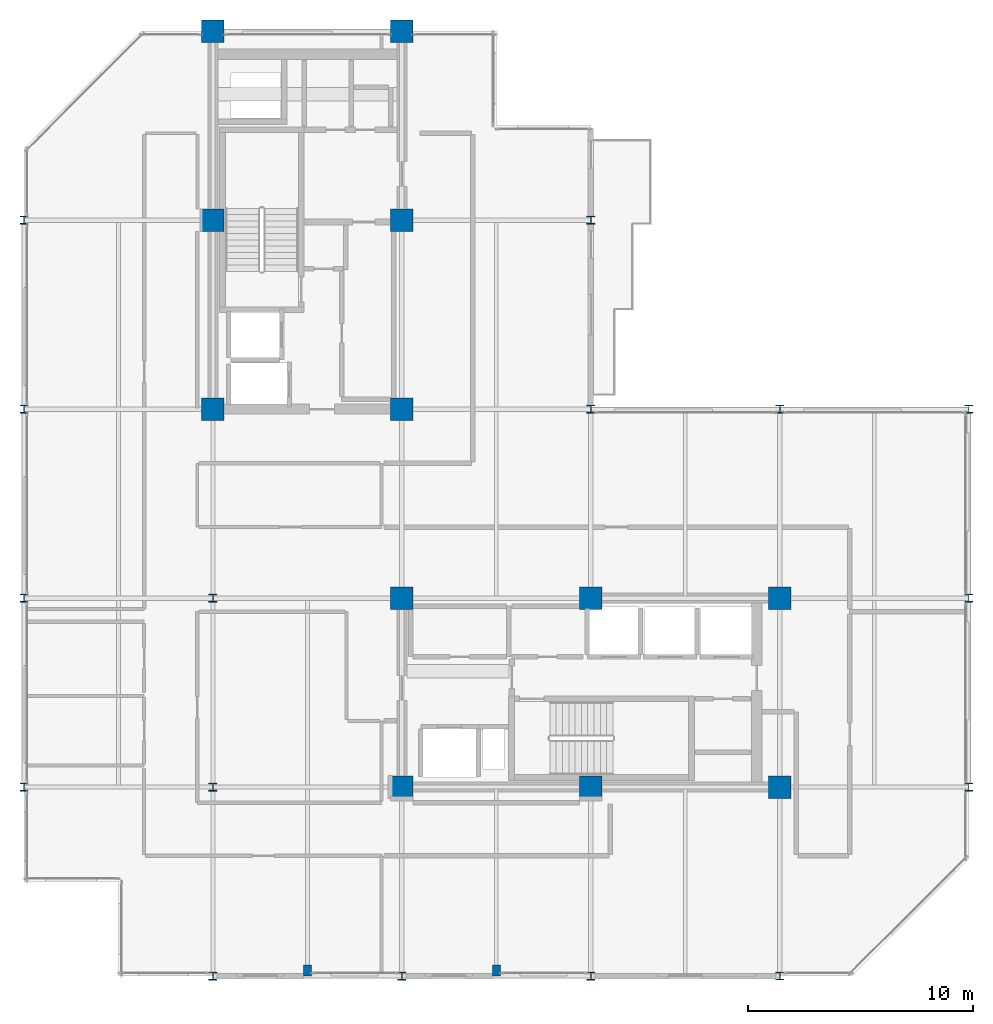
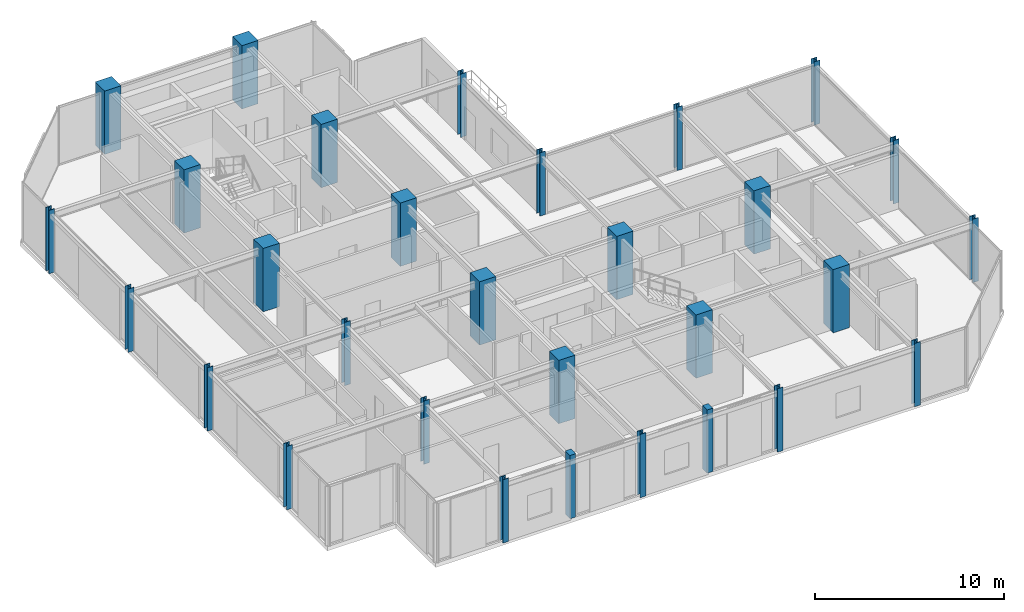
# One storey, part 1 of 25: 30 columns.
"""IFC4 building model written with IfcOpenShell, lengths in metres."""

from ifc_helpers import new_model, si_unit, direction, frame, origin, origin_2d, place, context, subcontext, project, spatial, rectangle, i_section, extrude, material, material_profile, profile_set, type_object, element, save


model = new_model("IFC4")

# Units and contexts
model_context = context("Model", 3, precision=1e-05, world=origin(), true_north=direction((0.0, 1.0)))
body_context = subcontext(model_context, "Body", "Model", "MODEL_VIEW")
ifc_project = project(units=[si_unit("LENGTHUNIT", "METRE"), si_unit("AREAUNIT", "SQUARE_METRE"), si_unit("VOLUMEUNIT", "CUBIC_METRE"), si_unit("PLANEANGLEUNIT", "RADIAN"), si_unit("MASSUNIT", "GRAM", prefix="KILO")], contexts=[model_context])

# Site, building, storey
site_placement = place(None, origin())
site = spatial("IfcSite", under=ifc_project, at=site_placement, CompositionType="ELEMENT")
building_placement = place(site_placement, origin())
building = spatial("IfcBuilding", under=site, at=building_placement, Name="Nerrivon Quay Data Exchange", CompositionType="ELEMENT")
storey_placement = place(building_placement, frame((0.0, 0.0, 232.89990234375)))
storey = spatial("IfcBuildingStorey", under=building, at=storey_placement, Name="L55", CompositionType="ELEMENT", Elevation=232.89990234375)

# Columns
ifc_material_1 = material(Name="Concrete S65 (65 MPa)", Category="concrete")
ifc_material_profile_1 = material_profile(ifc_material_1, rectangle(XDim=1.0, YDim=1.0, at=origin_2d()), Name="RC-COL-1000x1000")
ifc_profile_set_1 = profile_set([ifc_material_profile_1], Name="Concrete S65 (65 MPa)")
column_type_1 = type_object("IfcColumnType", Name="COL-C4-1000", PredefinedType="COLUMN", material=ifc_profile_set_1)
for number, where, z_axis, x_axis, name in (
    (1, (8.39990234375, 25.199951171875, 0.0), (0.0, 0.0, 1.0), (1.0, 0.0, 0.0), "L55 Column (8.4,25.2)"),
    (2, (8.39990234375, 33.60009765625, 0.0), (0.0, 0.0, 1.0), (1.0, 0.0, 0.0), "L55 Column (8.4,33.6)"),
    (3, (8.39990234375, 42.0, 0.0), (0.0, 0.0, 1.0), (1.0, 0.0, 0.0), "L55 Column (8.4,42.0)"),
    (4, (16.800048828125, 8.39990234375, 0.0), (0.0, 0.0, 1.0), (1.0, 0.0, 0.0), "L55 Column (16.8,8.4)"),
    (5, (16.800048828125, 16.800048828125, 0.0), (0.0, 0.0, 1.0), (1.0, 0.0, 0.0), "L55 Column (16.8,16.8)"),
    (6, (16.800048828125, 25.199951171875, 0.0), (0.0, 0.0, 1.0), (1.0, 0.0, 0.0), "L55 Column (16.8,25.2)"),
    (7, (16.800048828125, 33.60009765625, 0.0), (0.0, 0.0, 1.0), (1.0, 0.0, 0.0), "L55 Column (16.8,33.6)"),
    (8, (16.800048828125, 42.0, 0.0), (0.0, 0.0, 1.0), (1.0, 0.0, 0.0), "L55 Column (16.8,42.0)"),
    (9, (25.199951171875, 8.39990234375, 0.0), (0.0, 0.0, 1.0), (1.0, 0.0, 0.0), "L55 Column (25.2,8.4)"),
    (10, (25.199951171875, 16.800048828125, 0.0), (0.0, 0.0, 1.0), (1.0, 0.0, 0.0), "L55 Column (25.2,16.8)"),
    (11, (33.60009765625, 8.39990234375, 0.0), (0.0, 0.0, 1.0), (1.0, 0.0, 0.0), "L55 Column (33.6,8.4)"),
    (12, (33.60009765625, 16.800048828125, 0.0), (0.0, 0.0, 1.0), (1.0, 0.0, 0.0), "L55 Column (33.6,16.8)"),
):
    element("IfcColumn", number, at=place(storey_placement, frame(where, z_axis=z_axis, x_axis=x_axis)), inside=storey, type_object=column_type_1, Name=name, PredefinedType="COLUMN", context=body_context, shape_type="SweptSolid", body=[
        extrude(rectangle(XDim=1.0, YDim=1.0, at=origin_2d()), origin(), (0.0, 0.0, 1.0), 4.10009765625),
    ])
ifc_material_2 = material(Name="Steel Grade 350", Category="steel")
ifc_material_profile_2 = material_profile(ifc_material_2, i_section(OverallWidth=0.35009765625, OverallDepth=0.35009765625, WebThickness=0.02001953125, FlangeThickness=0.031982421875, at=origin_2d()), Name="350WC230")
ifc_profile_set_2 = profile_set([ifc_material_profile_2], Name="Steel Grade 350")
column_type_2 = type_object("IfcColumnType", Name="COL-SC3-350WC", PredefinedType="COLUMN", material=ifc_profile_set_2)
for number, where, z_axis, x_axis, name in (
    (13, (0.0, 8.39990234375, 0.0), (0.0, 0.0, 1.0), (1.0, 0.0, 0.0), "L55 Column (0.0,8.4)"),
    (14, (0.0, 16.800048828125, 0.0), (0.0, 0.0, 1.0), (1.0, 0.0, 0.0), "L55 Column (0.0,16.8)"),
    (15, (0.0, 25.199951171875, 0.0), (0.0, 0.0, 1.0), (1.0, 0.0, 0.0), "L55 Column (0.0,25.2)"),
    (16, (0.0, 33.60009765625, 0.0), (0.0, 0.0, 1.0), (1.0, 0.0, 0.0), "L55 Column (0.0,33.6)"),
    (17, (8.39990234375, 0.0, 0.0), (0.0, 0.0, 1.0), (1.0, 0.0, 0.0), "L55 Column (8.4,0.0)"),
    (18, (8.39990234375, 8.39990234375, 0.0), (0.0, 0.0, 1.0), (1.0, 0.0, 0.0), "L55 Column (8.4,8.4)"),
    (19, (8.39990234375, 16.800048828125, 0.0), (0.0, 0.0, 1.0), (1.0, 0.0, 0.0), "L55 Column (8.4,16.8)"),
    (20, (16.800048828125, 0.0, 0.0), (0.0, 0.0, 1.0), (1.0, 0.0, 0.0), "L55 Column (16.8,0.0)"),
    (21, (25.199951171875, 0.0, 0.0), (0.0, 0.0, 1.0), (1.0, 0.0, 0.0), "L55 Column (25.2,0.0)"),
    (22, (25.199951171875, 25.199951171875, 0.0), (0.0, 0.0, 1.0), (1.0, 0.0, 0.0), "L55 Column (25.2,25.2)"),
    (23, (25.199951171875, 33.60009765625, 0.0), (0.0, 0.0, 1.0), (1.0, 0.0, 0.0), "L55 Column (25.2,33.6)"),
    (24, (33.60009765625, 0.0, 0.0), (0.0, 0.0, 1.0), (1.0, 0.0, 0.0), "L55 Column (33.6,0.0)"),
    (25, (33.60009765625, 25.199951171875, 0.0), (0.0, 0.0, 1.0), (1.0, 0.0, 0.0), "L55 Column (33.6,25.2)"),
    (26, (42.0, 8.39990234375, 0.0), (0.0, 0.0, 1.0), (1.0, 0.0, 0.0), "L55 Column (42.0,8.4)"),
    (27, (42.0, 16.800048828125, 0.0), (0.0, 0.0, 1.0), (1.0, 0.0, 0.0), "L55 Column (42.0,16.8)"),
    (28, (42.0, 25.199951171875, 0.0), (0.0, 0.0, 1.0), (1.0, 0.0, 0.0), "L55 Column (42.0,25.2)"),
):
    element("IfcColumn", number, at=place(storey_placement, frame(where, z_axis=z_axis, x_axis=x_axis)), inside=storey, type_object=column_type_2, Name=name, PredefinedType="COLUMN", context=body_context, shape_type="SweptSolid", body=[
        extrude(i_section(OverallWidth=0.35009765625, OverallDepth=0.35009765625, WebThickness=0.02001953125, FlangeThickness=0.031982421875, at=origin_2d()), origin(), (0.0, 0.0, 1.0), 4.10009765625),
    ])
ifc_material_3 = material(Name="Concrete N50 (50 MPa)", Category="concrete")
ifc_material_profile_3 = material_profile(ifc_material_3, rectangle(XDim=0.35009765625, YDim=0.5, at=origin_2d()), Name="RC-PIL-500x350")
ifc_profile_set_3 = profile_set([ifc_material_profile_3], Name="Concrete N50 (50 MPa)")
column_type_3 = type_object("IfcColumnType", Name="PIL-P2-500x350", PredefinedType="PILASTER", material=ifc_profile_set_3)
for number, where, z_axis, x_axis, name in (
    (29, (12.60009765625, 0.25, 0.0), (0.0, 0.0, 1.0), (1.0, 0.0, 0.0), "L55 Facade Pilaster (12.6)"),
    (30, (21.0, 0.25, 0.0), (0.0, 0.0, 1.0), (1.0, 0.0, 0.0), "L55 Facade Pilaster (21.0)"),
):
    element("IfcColumn", number, at=place(storey_placement, frame(where, z_axis=z_axis, x_axis=x_axis)), inside=storey, type_object=column_type_3, Name=name, PredefinedType="PILASTER", context=body_context, shape_type="SweptSolid", body=[
        extrude(rectangle(XDim=0.35009765625, YDim=0.5, at=origin_2d()), origin(), (0.0, 0.0, 1.0), 4.10009765625),
    ])

save(model, "model.ifc")
